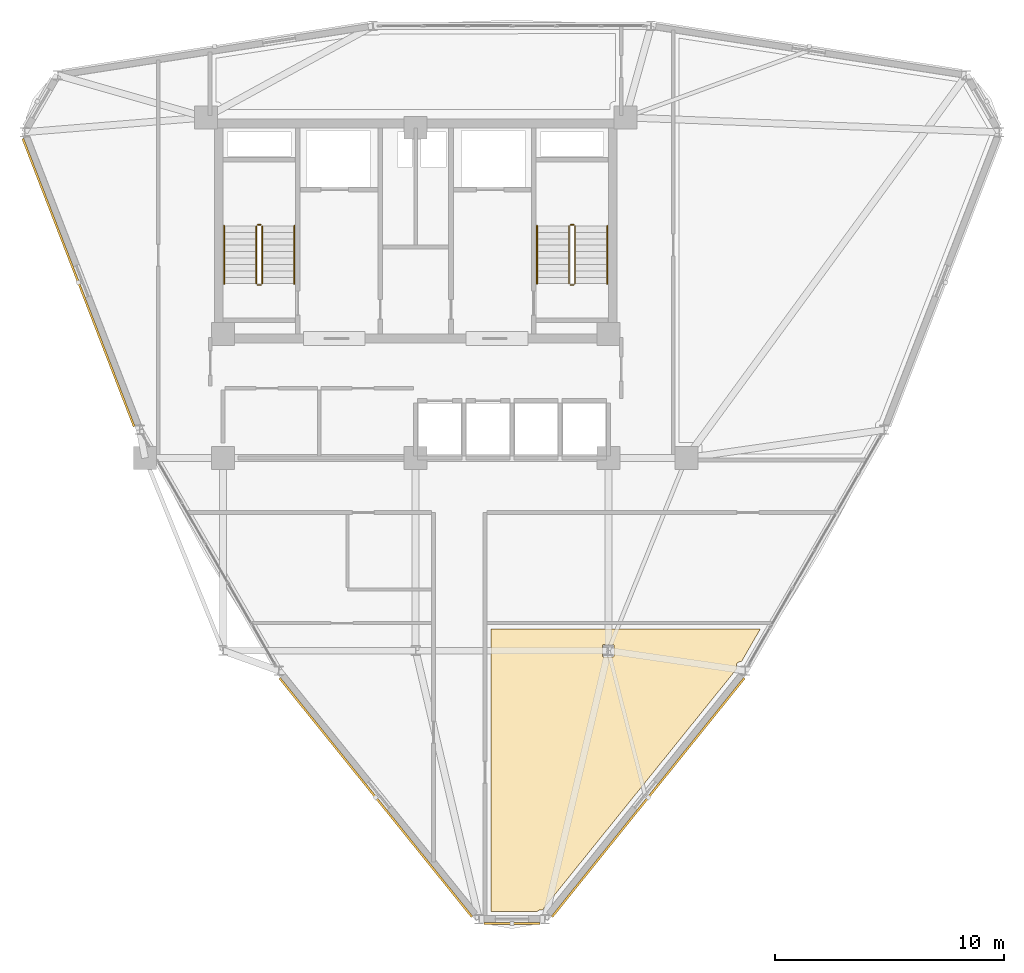
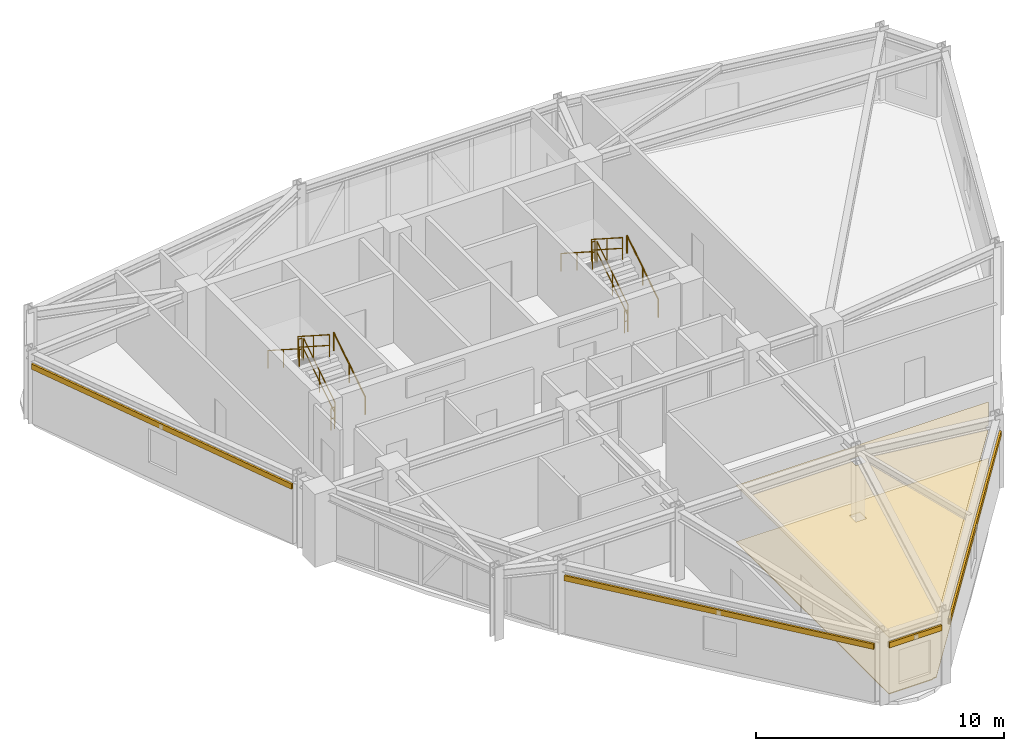
# One storey, part 15 of 16: 12 railings, 4 shading devices, 2 coverings.
"""IFC4 building model written with IfcOpenShell, lengths in metres."""

from ifc_helpers import new_model, si_unit, derived_unit, direction, frame, origin, origin_2d, place, context, subcontext, project, spatial, polyline, hollow_rectangle, circle, outline, extrude, source, transform, mapped, material, layer, layer_set, material_profile, profile_set, type_object, element, save


model = new_model("IFC4")

# Units and contexts
model_context = context("Model", 3, precision=1e-05, world=origin(), true_north=direction((0.0, 1.0)))
body_context = subcontext(model_context, "Body", "Model", "MODEL_VIEW")
ifc_project = project(units=[si_unit("LENGTHUNIT", "METRE"), si_unit("AREAUNIT", "SQUARE_METRE"), si_unit("VOLUMEUNIT", "CUBIC_METRE"), si_unit("PLANEANGLEUNIT", "RADIAN"), si_unit("MASSUNIT", "GRAM", prefix="KILO"), derived_unit("THERMALTRANSMITTANCEUNIT", [(si_unit("POWERUNIT", "WATT"), 1), (si_unit("LENGTHUNIT", "METRE"), -2), (si_unit("THERMODYNAMICTEMPERATUREUNIT", "KELVIN"), -1)])], contexts=[model_context])

# Site, building, storey
site_placement = place(None, origin())
site = spatial("IfcSite", under=ifc_project, at=site_placement, CompositionType="ELEMENT")
building_placement = place(site_placement, origin())
building = spatial("IfcBuilding", under=site, at=building_placement, Name="Korsvarv Bourse and Concert Hall", CompositionType="ELEMENT")
storey_placement = place(building_placement, frame((0.0, 0.0, 227.39990234375)))
storey = spatial("IfcBuildingStorey", under=building, at=storey_placement, Name="L59", CompositionType="ELEMENT", Elevation=227.39990234375)

# Coverings
ifc_material_1 = material(Name="Perforated mineral-wool and birch acoustic baffle ceiling", Category="wood")
ifc_layer_1 = layer(ifc_material_1, 0.02490234375)
ifc_layer_set_1 = layer_set([ifc_layer_1], Name="Perforated mineral-wool and birch acoustic baffle ceiling")
covering_type_1 = type_object("IfcCoveringType", Name="COV-CEIL-1", PredefinedType="CEILING", material=ifc_layer_set_1)
covering_1_placement = place(storey_placement, frame((0.0, 0.0, 2.7900390625)))
element("IfcCovering", 1, at=covering_1_placement, inside=storey, type_object=covering_type_1, Name="L59 acoustic baffle ceiling 2", PredefinedType="CEILING", context=body_context, shape_type="SweptSolid", body=[
    extrude(outline(polyline([(51.026611328125, 24.949951171875), (50.20556640625, 23.52783203125), (50.165283203125, 23.52783203125), (50.131103515625, 23.5244140625), (50.09814453125, 23.514892578125), (50.06787109375, 23.4990234375), (50.040771484375, 23.477783203125), (50.018310546875, 23.451904296875), (50.00146484375, 23.422119140625), (49.990234375, 23.3896484375), (49.985595703125, 23.355712890625), (49.97802734375, 23.1875), (41.5224609375, 12.694091796875), (41.435302734375, 12.694091796875), (41.399658203125, 12.6904296875), (41.365234375, 12.679931640625), (41.333740234375, 12.66259765625), (41.306396484375, 12.639404296875), (39.280029296875, 12.635986328125), (39.280029296875, 24.949951171875), (51.026611328125, 24.949951171875)]), holes=[polyline([(44.179443359375, 23.734619140625), (44.60595703125, 23.732421875), (44.629638671875, 23.73828125), (44.647705078125, 23.754638671875), (44.65576171875, 23.777587890625), (44.656005859375, 24.217529296875), (44.650146484375, 24.2412109375), (44.6337890625, 24.259033203125), (44.61083984375, 24.267333984375), (44.194091796875, 24.267578125), (44.17041015625, 24.26171875), (44.15234375, 24.245361328125), (44.144287109375, 24.222412109375), (44.14404296875, 23.782470703125), (44.14990234375, 23.7587890625), (44.179443359375, 23.734619140625)])]), origin(), (0.0, 0.0, 1.0), 0.025146484375),
])
ifc_material_2 = material(Name="Calcium-sulphate raised access trading floor with Nordic oak top", Category="wood")
ifc_layer_2 = layer(ifc_material_2, 0.0400390625)
ifc_layer_set_2 = layer_set([ifc_layer_2], Name="Calcium-sulphate raised access trading floor with Nordic oak top")
covering_type_2 = type_object("IfcCoveringType", Name="COV-FLOR-1", PredefinedType="FLOORING", material=ifc_layer_set_2)
covering_2_placement = place(storey_placement, origin())
element("IfcCovering", 2, at=covering_2_placement, inside=storey, type_object=covering_type_2, Name="L59 raised access oak floor finish 2", PredefinedType="FLOORING", context=body_context, shape_type="SweptSolid", body=[
    extrude(outline(polyline([(51.026611328125, 24.949951171875), (50.20556640625, 23.52783203125), (50.165283203125, 23.52783203125), (50.131103515625, 23.5244140625), (50.09814453125, 23.514892578125), (50.06787109375, 23.4990234375), (50.040771484375, 23.477783203125), (50.018310546875, 23.451904296875), (50.00146484375, 23.422119140625), (49.990234375, 23.3896484375), (49.985595703125, 23.355712890625), (49.97802734375, 23.1875), (41.5224609375, 12.694091796875), (41.435302734375, 12.694091796875), (41.399658203125, 12.6904296875), (41.365234375, 12.679931640625), (41.333740234375, 12.66259765625), (41.306396484375, 12.639404296875), (39.280029296875, 12.635986328125), (39.280029296875, 24.949951171875), (51.026611328125, 24.949951171875)]), holes=[polyline([(44.179443359375, 23.734619140625), (44.60595703125, 23.732421875), (44.629638671875, 23.73828125), (44.647705078125, 23.754638671875), (44.65576171875, 23.777587890625), (44.656005859375, 24.217529296875), (44.650146484375, 24.2412109375), (44.6337890625, 24.259033203125), (44.61083984375, 24.267333984375), (44.194091796875, 24.267578125), (44.17041015625, 24.26171875), (44.15234375, 24.245361328125), (44.144287109375, 24.222412109375), (44.14404296875, 23.782470703125), (44.14990234375, 23.7587890625), (44.179443359375, 23.734619140625)])]), origin(), (0.0, 0.0, 1.0), 0.0400390625),
])

# Railings
ifc_material_3 = material(Name="Painted Steel S355 stair well guardrail", Category="steel")
railing_type_1 = type_object("IfcRailingType", Name="RL-ST-GRD", PredefinedType="GUARDRAIL", material=ifc_material_3)
railing_1_placement = place(storey_placement, frame((29.31005859375, 40.0, 0.18017578125)))
element("IfcRailing", 3, at=railing_1_placement, inside=storey, type_object=railing_type_1, Name="L59 ST-T1 stair guard 1", PredefinedType="GUARDRAIL", context=body_context, shape_type="SweptSolid", body=[
    extrude(circle(Radius=0.02392578125, at=origin_2d()), frame((0.0, 0.0, 1.076171875), z_axis=(0.0, 0.841199657755, 0.540724639528), x_axis=(-1.0, 0.0, 0.0)), (0.0, 0.0, 1.0), 2.995849609375),
    extrude(circle(Radius=0.02392578125, at=origin_2d()), frame((0.0, 0.0, 0.550048828125), z_axis=(0.0, 0.841199657755, 0.540724639528), x_axis=(-1.0, 0.0, 0.0)), (0.0, 0.0, 1.0), 2.995849609375),
    extrude(circle(Radius=0.02099609375, at=origin_2d()), origin(), (0.0, 0.0, 1.0), 1.052001953125),
    extrude(circle(Radius=0.02099609375, at=origin_2d()), frame((0.0, 1.260009765625, 0.81005859375)), (0.0, 0.0, 1.0), 1.052001953125),
    extrude(circle(Radius=0.02099609375, at=origin_2d()), frame((0.0, 2.52001953125, 1.619873046875)), (0.0, 0.0, 1.0), 1.052001953125),
])
railing_2_placement = place(storey_placement, frame((29.260009765625, 42.570068359375, 1.800048828125)))
element("IfcRailing", 4, at=railing_2_placement, inside=storey, type_object=railing_type_1, Name="L59 ST-T1 stair guard 2", PredefinedType="GUARDRAIL", context=body_context, shape_type="SweptSolid", body=[
    extrude(circle(Radius=0.02392578125, at=origin_2d()), frame((0.0, 0.0, 1.076171875), z_axis=(-1.0, 0.0, 0.0), x_axis=(0.0, -1.0, 0.0)), (0.0, 0.0, 1.0), 0.159912109375),
    extrude(circle(Radius=0.02392578125, at=origin_2d()), frame((0.0, 0.0, 0.550048828125), z_axis=(-1.0, 0.0, 0.0), x_axis=(0.0, -1.0, 0.0)), (0.0, 0.0, 1.0), 0.159912109375),
    extrude(circle(Radius=0.02099609375, at=origin_2d()), origin(), (0.0, 0.0, 1.0), 1.052001953125),
    extrude(circle(Radius=0.02099609375, at=origin_2d()), frame((-0.159912109375, 0.0, 0.0)), (0.0, 0.0, 1.0), 1.052001953125),
])
railing_3_placement = place(storey_placement, frame((29.050048828125, 42.52001953125, 1.97998046875)))
element("IfcRailing", 5, at=railing_3_placement, inside=storey, type_object=railing_type_1, Name="L59 ST-T1 stair guard 3", PredefinedType="GUARDRAIL", context=body_context, shape_type="SweptSolid", body=[
    extrude(circle(Radius=0.02392578125, at=origin_2d()), frame((0.0, 0.0, 1.076171875), z_axis=(0.0, -0.841162588446, 0.540782303519), x_axis=(1.0, 0.0, 0.0)), (0.0, 0.0, 1.0), 2.995849609375),
    extrude(circle(Radius=0.02392578125, at=origin_2d()), frame((0.0, 0.0, 0.550048828125), z_axis=(0.0, -0.841162588446, 0.540782303519), x_axis=(1.0, 0.0, 0.0)), (0.0, 0.0, 1.0), 2.995849609375),
    extrude(circle(Radius=0.02099609375, at=origin_2d()), origin(), (0.0, 0.0, 1.0), 1.052001953125),
    extrude(circle(Radius=0.02099609375, at=origin_2d()), frame((0.0, -1.260009765625, 0.81005859375)), (0.0, 0.0, 1.0), 1.052001953125),
    extrude(circle(Radius=0.02099609375, at=origin_2d()), frame((0.0, -2.52001953125, 1.6201171875)), (0.0, 0.0, 1.0), 1.052001953125),
])
railing_4_placement = place(storey_placement, frame((29.260009765625, 39.949951171875, 0.0)))
element("IfcRailing", 6, at=railing_4_placement, inside=storey, type_object=railing_type_1, Name="L59 ST-T1 stair guard 4", PredefinedType="GUARDRAIL", context=body_context, shape_type="SweptSolid", body=[
    extrude(circle(Radius=0.02392578125, at=origin_2d()), frame((0.0, 0.0, 1.076171875), z_axis=(-1.0, 0.0, 0.0), x_axis=(0.0, -1.0, 0.0)), (0.0, 0.0, 1.0), 0.159912109375),
    extrude(circle(Radius=0.02392578125, at=origin_2d()), frame((0.0, 0.0, 0.550048828125), z_axis=(-1.0, 0.0, 0.0), x_axis=(0.0, -1.0, 0.0)), (0.0, 0.0, 1.0), 0.159912109375),
    extrude(circle(Radius=0.02099609375, at=origin_2d()), origin(), (0.0, 0.0, 1.0), 1.052001953125),
    extrude(circle(Radius=0.02099609375, at=origin_2d()), frame((-0.159912109375, 0.0, 0.0)), (0.0, 0.0, 1.0), 1.052001953125),
])
railing_5_placement = place(storey_placement, frame((42.949951171875, 40.0, 0.18017578125)))
element("IfcRailing", 7, at=railing_5_placement, inside=storey, type_object=railing_type_1, Name="L59 ST-T2 stair guard 1", PredefinedType="GUARDRAIL", context=body_context, shape_type="SweptSolid", body=[
    extrude(circle(Radius=0.02392578125, at=origin_2d()), frame((0.0, 0.0, 1.076171875), z_axis=(0.0, 0.841199657755, 0.540724639528), x_axis=(-1.0, 0.0, 0.0)), (0.0, 0.0, 1.0), 2.995849609375),
    extrude(circle(Radius=0.02392578125, at=origin_2d()), frame((0.0, 0.0, 0.550048828125), z_axis=(0.0, 0.841199657755, 0.540724639528), x_axis=(-1.0, 0.0, 0.0)), (0.0, 0.0, 1.0), 2.995849609375),
    extrude(circle(Radius=0.02099609375, at=origin_2d()), origin(), (0.0, 0.0, 1.0), 1.052001953125),
    extrude(circle(Radius=0.02099609375, at=origin_2d()), frame((0.0, 1.260009765625, 0.81005859375)), (0.0, 0.0, 1.0), 1.052001953125),
    extrude(circle(Radius=0.02099609375, at=origin_2d()), frame((0.0, 2.52001953125, 1.619873046875)), (0.0, 0.0, 1.0), 1.052001953125),
])
railing_6_placement = place(storey_placement, frame((42.89990234375, 42.570068359375, 1.800048828125)))
element("IfcRailing", 8, at=railing_6_placement, inside=storey, type_object=railing_type_1, Name="L59 ST-T2 stair guard 2", PredefinedType="GUARDRAIL", context=body_context, shape_type="SweptSolid", body=[
    extrude(circle(Radius=0.02392578125, at=origin_2d()), frame((0.0, 0.0, 1.076171875), z_axis=(-1.0, 0.0, 0.0), x_axis=(0.0, -1.0, 0.0)), (0.0, 0.0, 1.0), 0.159912109375),
    extrude(circle(Radius=0.02392578125, at=origin_2d()), frame((0.0, 0.0, 0.550048828125), z_axis=(-1.0, 0.0, 0.0), x_axis=(0.0, -1.0, 0.0)), (0.0, 0.0, 1.0), 0.159912109375),
    extrude(circle(Radius=0.02099609375, at=origin_2d()), origin(), (0.0, 0.0, 1.0), 1.052001953125),
    extrude(circle(Radius=0.02099609375, at=origin_2d()), frame((-0.159912109375, 0.0, 0.0)), (0.0, 0.0, 1.0), 1.052001953125),
])
railing_7_placement = place(storey_placement, frame((42.68994140625, 42.52001953125, 1.97998046875)))
element("IfcRailing", 9, at=railing_7_placement, inside=storey, type_object=railing_type_1, Name="L59 ST-T2 stair guard 3", PredefinedType="GUARDRAIL", context=body_context, shape_type="SweptSolid", body=[
    extrude(circle(Radius=0.02392578125, at=origin_2d()), frame((0.0, 0.0, 1.076171875), z_axis=(0.0, -0.841162588446, 0.540782303519), x_axis=(1.0, 0.0, 0.0)), (0.0, 0.0, 1.0), 2.995849609375),
    extrude(circle(Radius=0.02392578125, at=origin_2d()), frame((0.0, 0.0, 0.550048828125), z_axis=(0.0, -0.841162588446, 0.540782303519), x_axis=(1.0, 0.0, 0.0)), (0.0, 0.0, 1.0), 2.995849609375),
    extrude(circle(Radius=0.02099609375, at=origin_2d()), origin(), (0.0, 0.0, 1.0), 1.052001953125),
    extrude(circle(Radius=0.02099609375, at=origin_2d()), frame((0.0, -1.260009765625, 0.81005859375)), (0.0, 0.0, 1.0), 1.052001953125),
    extrude(circle(Radius=0.02099609375, at=origin_2d()), frame((0.0, -2.52001953125, 1.6201171875)), (0.0, 0.0, 1.0), 1.052001953125),
])
railing_8_placement = place(storey_placement, frame((42.89990234375, 39.949951171875, 0.0)))
element("IfcRailing", 10, at=railing_8_placement, inside=storey, type_object=railing_type_1, Name="L59 ST-T2 stair guard 4", PredefinedType="GUARDRAIL", context=body_context, shape_type="SweptSolid", body=[
    extrude(circle(Radius=0.02392578125, at=origin_2d()), frame((0.0, 0.0, 1.076171875), z_axis=(-1.0, 0.0, 0.0), x_axis=(0.0, -1.0, 0.0)), (0.0, 0.0, 1.0), 0.159912109375),
    extrude(circle(Radius=0.02392578125, at=origin_2d()), frame((0.0, 0.0, 0.550048828125), z_axis=(-1.0, 0.0, 0.0), x_axis=(0.0, -1.0, 0.0)), (0.0, 0.0, 1.0), 0.159912109375),
    extrude(circle(Radius=0.02099609375, at=origin_2d()), origin(), (0.0, 0.0, 1.0), 1.052001953125),
    extrude(circle(Radius=0.02099609375, at=origin_2d()), frame((-0.159912109375, 0.0, 0.0)), (0.0, 0.0, 1.0), 1.052001953125),
])
ifc_material_4 = material(Name="Brushed stainless Steel S355 tubular handrail", Category="steel")
railing_type_2 = type_object("IfcRailingType", Name="RL-ST-HND", PredefinedType="HANDRAIL", material=ifc_material_4)
railing_9_placement = place(storey_placement, frame((30.7099609375, 40.0, 0.18017578125)))
element("IfcRailing", 11, at=railing_9_placement, inside=storey, type_object=railing_type_2, Name="L59 ST-T1 stair handrail 1", PredefinedType="HANDRAIL", context=body_context, shape_type="SweptSolid", body=[
    extrude(circle(Radius=0.02392578125, at=origin_2d()), frame((0.0, 0.0, 0.8759765625), z_axis=(0.0, 0.841199657755, 0.540724639528), x_axis=(-1.0, 0.0, 0.0)), (0.0, 0.0, 1.0), 2.995849609375),
    extrude(circle(Radius=0.02099609375, at=origin_2d()), origin(), (0.0, 0.0, 1.0), 0.851806640625),
    extrude(circle(Radius=0.02099609375, at=origin_2d()), frame((0.0, 1.260009765625, 0.81005859375)), (0.0, 0.0, 1.0), 0.851806640625),
    extrude(circle(Radius=0.02099609375, at=origin_2d()), frame((0.0, 2.52001953125, 1.619873046875)), (0.0, 0.0, 1.0), 0.851806640625),
])
railing_10_placement = place(storey_placement, frame((27.64990234375, 42.52001953125, 1.97998046875)))
element("IfcRailing", 12, at=railing_10_placement, inside=storey, type_object=railing_type_2, Name="L59 ST-T1 stair handrail 2", PredefinedType="HANDRAIL", context=body_context, shape_type="SweptSolid", body=[
    extrude(circle(Radius=0.02392578125, at=origin_2d()), frame((0.0, 0.0, 0.8759765625), z_axis=(0.0, -0.841162588446, 0.540782303519), x_axis=(1.0, 0.0, 0.0)), (0.0, 0.0, 1.0), 2.995849609375),
    extrude(circle(Radius=0.02099609375, at=origin_2d()), origin(), (0.0, 0.0, 1.0), 0.851806640625),
    extrude(circle(Radius=0.02099609375, at=origin_2d()), frame((0.0, -1.260009765625, 0.81005859375)), (0.0, 0.0, 1.0), 0.851806640625),
    extrude(circle(Radius=0.02099609375, at=origin_2d()), frame((0.0, -2.52001953125, 1.6201171875)), (0.0, 0.0, 1.0), 0.851806640625),
])
railing_11_placement = place(storey_placement, frame((44.35009765625, 40.0, 0.18017578125)))
element("IfcRailing", 13, at=railing_11_placement, inside=storey, type_object=railing_type_2, Name="L59 ST-T2 stair handrail 1", PredefinedType="HANDRAIL", context=body_context, shape_type="SweptSolid", body=[
    extrude(circle(Radius=0.02392578125, at=origin_2d()), frame((0.0, 0.0, 0.8759765625), z_axis=(0.0, 0.841199657755, 0.540724639528), x_axis=(-1.0, 0.0, 0.0)), (0.0, 0.0, 1.0), 2.995849609375),
    extrude(circle(Radius=0.02099609375, at=origin_2d()), origin(), (0.0, 0.0, 1.0), 0.851806640625),
    extrude(circle(Radius=0.02099609375, at=origin_2d()), frame((0.0, 1.260009765625, 0.81005859375)), (0.0, 0.0, 1.0), 0.851806640625),
    extrude(circle(Radius=0.02099609375, at=origin_2d()), frame((0.0, 2.52001953125, 1.619873046875)), (0.0, 0.0, 1.0), 0.851806640625),
])
railing_12_placement = place(storey_placement, frame((41.2900390625, 42.52001953125, 1.97998046875)))
element("IfcRailing", 14, at=railing_12_placement, inside=storey, type_object=railing_type_2, Name="L59 ST-T2 stair handrail 2", PredefinedType="HANDRAIL", context=body_context, shape_type="SweptSolid", body=[
    extrude(circle(Radius=0.02392578125, at=origin_2d()), frame((0.0, 0.0, 0.8759765625), z_axis=(0.0, -0.841162588446, 0.540782303519), x_axis=(1.0, 0.0, 0.0)), (0.0, 0.0, 1.0), 2.995849609375),
    extrude(circle(Radius=0.02099609375, at=origin_2d()), origin(), (0.0, 0.0, 1.0), 0.851806640625),
    extrude(circle(Radius=0.02099609375, at=origin_2d()), frame((0.0, -1.260009765625, 0.81005859375)), (0.0, 0.0, 1.0), 0.851806640625),
    extrude(circle(Radius=0.02099609375, at=origin_2d()), frame((0.0, -2.52001953125, 1.6201171875)), (0.0, 0.0, 1.0), 0.851806640625),
])

# Shading devices
ifc_material_5 = material(Name="Glazed extruded architectural terracotta", Category="ceramic")
ifc_material_profile = material_profile(ifc_material_5, hollow_rectangle(XDim=0.090087890625, YDim=0.260009765625, WallThickness=0.011962890625, at=origin_2d()), Name="TC-BAG 90x260")
ifc_profile_set = profile_set([ifc_material_profile], Name="Glazed extruded architectural terracotta")
shading_device_type = type_object("IfcShadingDeviceType", Name="SHD-BAG-1", PredefinedType="USERDEFINED", material=ifc_profile_set)
shared_shape_1 = source(origin(), body_context, "Body", "SweptSolid", [
    extrude(hollow_rectangle(XDim=0.090087890625, YDim=0.260009765625, WallThickness=0.011962890625, at=origin_2d()), origin(), (0.0, 0.0, 1.0), 13.45654296875),
])
shading_device_1_placement = place(storey_placement, frame((18.871826171875, 46.330078125, 2.860107421875), z_axis=(0.360611311211, -0.93271618525, 0.0), x_axis=(0.93271618525, 0.360611311211, 0.0)))
element("IfcShadingDevice", 15, at=shading_device_1_placement, inside=storey, type_object=shading_device_type, Name="L59 terracotta baguette sunshade EW-L59-B06", ObjectType="BAGUETTE", PredefinedType="USERDEFINED", context=body_context, shape_type="MappedRepresentation", body=[
    mapped(shared_shape_1, transform((0.0, 0.0, 0.0), scale=1.0)),
])
shared_shape_2 = source(origin(), body_context, "Body", "SweptSolid", [
    extrude(hollow_rectangle(XDim=0.090087890625, YDim=0.260009765625, WallThickness=0.011962890625, at=origin_2d()), origin(), (0.0, 0.0, 1.0), 13.3662109375),
])
for number, where, z_axis, x_axis, name in (
    (16, (30.06689453125, 22.806884765625, 2.800048828125), (0.627462149304, -0.778647064587, 0.0), (0.778647064587, 0.627462149304, 0.0), "L59 terracotta baguette sunshade EW-L59-B08"),
    (17, (41.9462890625, 12.3994140625, 2.800048828125), (0.627462149304, 0.778647064587, 0.0), (-0.778647064587, 0.627462149304, 0.0), "L59 terracotta baguette sunshade EW-L59-B10"),
):
    element("IfcShadingDevice", number, at=place(storey_placement, frame(where, z_axis=z_axis, x_axis=x_axis)), inside=storey, type_object=shading_device_type, Name=name, ObjectType="BAGUETTE", PredefinedType="USERDEFINED", context=body_context, shape_type="MappedRepresentation", body=[
        mapped(shared_shape_2, transform((0.0, 0.0, 0.0), scale=1.0)),
    ])
shared_shape_3 = source(origin(), body_context, "Body", "SweptSolid", [
    extrude(hollow_rectangle(XDim=0.090087890625, YDim=0.260009765625, WallThickness=0.011962890625, at=origin_2d()), origin(), (0.0, 0.0, 1.0), 2.4609375),
])
shading_device_2_placement = place(storey_placement, frame((38.969482421875, 12.111083984375, 2.860107421875), z_axis=(1.0, 0.0, 0.0), x_axis=(0.0, 1.0, 0.0)))
element("IfcShadingDevice", 18, at=shading_device_2_placement, inside=storey, type_object=shading_device_type, Name="L59 terracotta baguette sunshade EW-L59-B09", ObjectType="BAGUETTE", PredefinedType="USERDEFINED", context=body_context, shape_type="MappedRepresentation", body=[
    mapped(shared_shape_3, transform((0.0, 0.0, 0.0), scale=1.0)),
])

save(model, "model.ifc")
